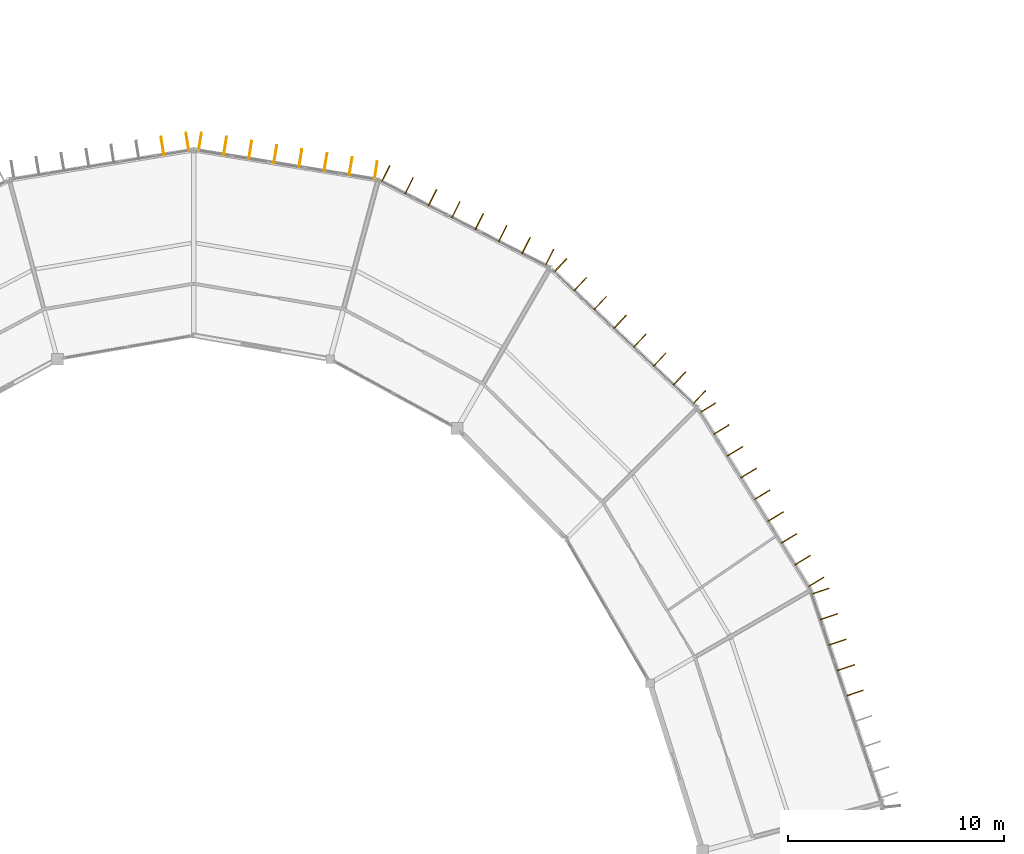
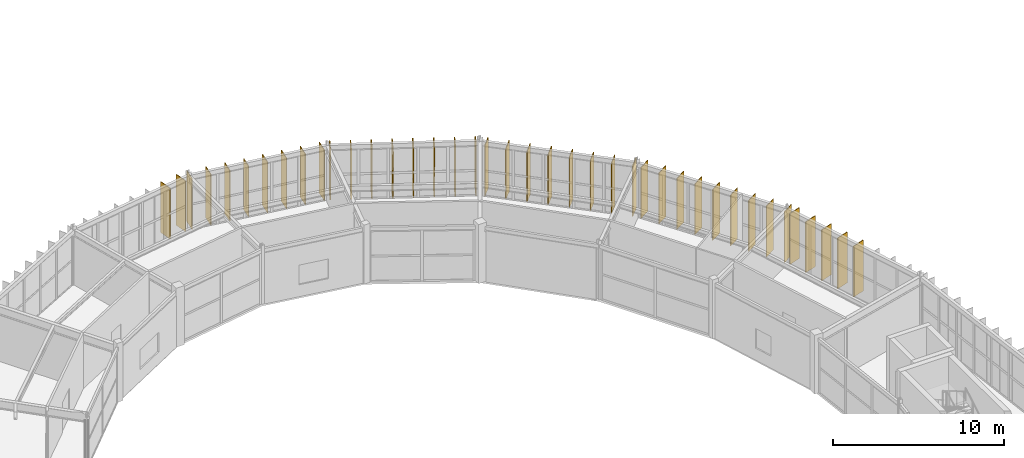
# One storey, part 155 of 157: 40 shading devices.
"""IFC4 building model written with IfcOpenShell, lengths in metres."""

import ifcopenshell
import ifcopenshell.guid

model = None  # the IFC model being written
_history = None  # IfcOwnerHistory: only IFC2X3 demands one
_inside = {}  # id of a spatial element -> (the spatial element, [elements in it])
_under = {}  # id of a project, library or spatial element -> (it, [spatial elements below it])
_declared = {}  # id of a project -> (the project, [libraries it declares])
_typed = {}  # id of a type object -> (the type object, [elements of that type])
_made_of = {}  # id of a material, layer set ... -> (it, [elements and type objects made of it])


def new_model(schema):
    """Start an empty IFC model of exactly this schema.

    Asked for "IFC4X3", IfcOpenShell would pick the latest addendum, in which some entities
    have other attributes; the version numbers below select the first issue.
    IFC2X3 requires an IfcOwnerHistory on every rooted entity: one is made here for all.
    """
    global model, _history
    if schema == "IFC4X3":
        model = ifcopenshell.file(schema_version=(4, 3, 0, 0))
    else:
        model = ifcopenshell.file(schema=schema)
    _inside.clear()
    _under.clear()
    _declared.clear()
    _typed.clear()
    _made_of.clear()
    _history = None
    if model.schema == "IFC2X3":
        org = make("IfcOrganization", Name="unknown")
        user = make(
            "IfcPersonAndOrganization",
            ThePerson=make("IfcPerson", FamilyName="unknown"),
            TheOrganization=org,
        )
        app = make(
            "IfcApplication",
            ApplicationDeveloper=org,
            Version="unknown",
            ApplicationFullName="unknown",
            ApplicationIdentifier="unknown",
        )
        _history = make(
            "IfcOwnerHistory",
            OwningUser=user,
            OwningApplication=app,
            ChangeAction="ADDED",
            CreationDate=0,
        )
    return model


def make(cls, **values):
    """One entity of the class cls with the attributes given. An attribute that is None is left unset."""
    return model.create_entity(
        cls, **{name: value for name, value in values.items() if value is not None}
    )


def rooted(cls, **values):
    """An entity with a GlobalId (a new one), such as an element, a storey or a relation."""
    return make(cls, GlobalId=ifcopenshell.guid.new(), OwnerHistory=_history, **values)


def si_unit(unit_type, name, prefix=None):
    """IfcSIUnit, for example si_unit("LENGTHUNIT", "METRE", prefix="MILLI")."""
    return make("IfcSIUnit", UnitType=unit_type, Prefix=prefix, Name=name)


def assignment(units):
    """IfcUnitAssignment: the units of a project."""
    return None if units is None else make("IfcUnitAssignment", Units=units)


def point(xyz):
    """IfcCartesianPoint."""
    return None if xyz is None else make("IfcCartesianPoint", Coordinates=xyz)


def direction(xyz):
    """IfcDirection."""
    return None if xyz is None else make("IfcDirection", DirectionRatios=xyz)


def frame(location, z_axis=None, x_axis=None):
    """IfcAxis2Placement3D, a coordinate frame: its origin and axes. An axis left out is left unset."""
    return make(
        "IfcAxis2Placement3D",
        Location=point(location),
        Axis=direction(z_axis),
        RefDirection=direction(x_axis),
    )


def frame_2d(location, x_axis=None):
    """IfcAxis2Placement2D, a coordinate frame in the plane: its origin and x axis."""
    return make(
        "IfcAxis2Placement2D", Location=point(location), RefDirection=direction(x_axis)
    )


def origin():
    """The frame at (0, 0, 0) with its axes left unset."""
    return frame((0.0, 0.0, 0.0))


def origin_2d():
    """The frame at (0, 0) in the plane with its x axis left unset."""
    return frame_2d((0.0, 0.0))


def place(relative_to, where):
    """IfcLocalPlacement: puts the frame where relative to a parent placement (None: the world)."""
    return make(
        "IfcLocalPlacement", PlacementRelTo=relative_to, RelativePlacement=where
    )


def context(
    kind, dimensions, precision=None, world=None, true_north=None, identifier=None
):
    """IfcGeometricRepresentationContext, for example the 3D "Model" context."""
    return make(
        "IfcGeometricRepresentationContext",
        ContextIdentifier=identifier,
        ContextType=kind,
        CoordinateSpaceDimension=dimensions,
        Precision=precision,
        WorldCoordinateSystem=world,
        TrueNorth=true_north,
    )


def subcontext(parent, identifier, kind, view, scale=None):
    """IfcGeometricRepresentationSubContext, for example "Body" below "Model"."""
    return make(
        "IfcGeometricRepresentationSubContext",
        ContextIdentifier=identifier,
        ContextType=kind,
        ParentContext=parent,
        TargetScale=scale,
        TargetView=view,
    )


def project(units=None, contexts=None):
    """IfcProject with its units and contexts."""
    return rooted(
        "IfcProject",
        Name="project",
        RepresentationContexts=contexts,
        UnitsInContext=assignment(units),
    )


def spatial(cls, under=None, at=None, **own):
    """A site, building, storey or space (cls), placed at a placement, below another one or the project."""
    s = rooted(cls, ObjectPlacement=at, **own)
    if under is not None:
        _under.setdefault(under.id(), (under, []))[1].append(s)
    return s


def profile(cls, at=None, kind="AREA", **sizes):
    """A parametric profile (cls). Its sizes go by their IFC names, for example OverallWidth=200.0."""
    return make(cls, ProfileType=kind, Position=at, **sizes)


def rectangle(**sizes):
    """IfcRectangleProfileDef."""
    return profile("IfcRectangleProfileDef", **sizes)


def extrude(swept, where, along, depth):
    """IfcExtrudedAreaSolid: the profile swept, set in the frame where, extruded along a direction by depth."""
    return make(
        "IfcExtrudedAreaSolid",
        SweptArea=swept,
        Position=where,
        ExtrudedDirection=direction(along),
        Depth=depth,
    )


def shape(context_of_items, identifier, shape_type, items):
    """IfcShapeRepresentation: the items that make up one representation, for example the "Body"."""
    return make(
        "IfcShapeRepresentation",
        ContextOfItems=context_of_items,
        RepresentationIdentifier=identifier,
        RepresentationType=shape_type,
        Items=items,
    )


def material(Name=None, Category=None):
    """IfcMaterial."""
    return make("IfcMaterial", Name=Name, Category=Category)


def layer(
    of_material, thickness, ventilated=None, Name=None, Category=None, Priority=None
):
    """IfcMaterialLayer: one layer of a wall or slab, of a material (None: an air gap)."""
    return make(
        "IfcMaterialLayer",
        Material=of_material,
        LayerThickness=thickness,
        IsVentilated=ventilated,
        Name=Name,
        Category=Category,
        Priority=Priority,
    )


def layer_set(layers, Name=None):
    """IfcMaterialLayerSet."""
    return make("IfcMaterialLayerSet", MaterialLayers=layers, LayerSetName=Name)


def made_of(thing, what):
    """Note that an element or type object is made of a material, layer set ...; save() writes the relation."""
    if what is not None:
        _made_of.setdefault(what.id(), (what, []))[1].append(thing)
    return thing


def type_object(cls, material=None, **own):
    """A type object (cls), such as IfcWallType, which elements share."""
    return made_of(rooted(cls, **own), material)


def element(
    cls,
    number,
    at=None,
    inside=None,
    cuts=None,
    type_object=None,
    material=None,
    context=None,
    identifier="Body",
    shape_type=None,
    held_by="IfcProductDefinitionShape",
    body=None,
    shapes=None,
    **own,
):
    """One element of the class cls, such as IfcWall. Its Tag is "e" and its number.

    at: its placement. inside: the storey or other place that contains it. cuts: it is an
    opening in that element (IfcRelVoidsElement). A single representation is given by context,
    identifier, shape_type and body (its items); several are given by shapes. held_by: the class
    of the entity that holds the representations. save() writes the other relations.
    """
    e = rooted(cls, Tag="e%d" % number, ObjectPlacement=at, **own)
    if body is not None:
        shapes = [shape(context, identifier, shape_type, body)]
    if shapes is not None:
        e.Representation = make(held_by, Representations=shapes)
    if inside is not None:
        _inside.setdefault(inside.id(), (inside, []))[1].append(e)
    if cuts is not None:
        rooted(
            "IfcRelVoidsElement", RelatingBuildingElement=cuts, RelatedOpeningElement=e
        )
    if type_object is not None:
        _typed.setdefault(type_object.id(), (type_object, []))[1].append(e)
    return made_of(e, material)


def aggregate(whole, parts):
    """IfcRelAggregates: a whole, such as a stair, and the parts it consists of."""
    return rooted("IfcRelAggregates", RelatingObject=whole, RelatedObjects=parts)


def save(model, path):
    """Write the relations noted so far, then the file.

    IfcRelAggregates (storeys below a building ...), IfcRelContainedInSpatialStructure (elements
    in a storey), IfcRelDefinesByType, IfcRelAssociatesMaterial and IfcRelDeclares: one each for
    every whole, place, type object, material and project.
    """
    for whole, parts in _under.values():
        aggregate(whole, parts)
    for where, things in _inside.values():
        rooted(
            "IfcRelContainedInSpatialStructure",
            RelatedElements=things,
            RelatingStructure=where,
        )
    for kind, things in _typed.values():
        rooted("IfcRelDefinesByType", RelatedObjects=things, RelatingType=kind)
    for what, things in _made_of.values():
        rooted("IfcRelAssociatesMaterial", RelatedObjects=things, RelatingMaterial=what)
    for by, libraries in _declared.values():
        rooted("IfcRelDeclares", RelatingContext=by, RelatedDefinitions=libraries)
    model.write(path)


model = new_model("IFC4")

# Units and contexts
model_context = context("Model", 3, precision=1e-05, world=origin(), true_north=direction((0.0, 1.0)))
body_context = subcontext(model_context, "Body", "Model", "MODEL_VIEW")
ifc_project = project(units=[si_unit("LENGTHUNIT", "METRE"), si_unit("AREAUNIT", "SQUARE_METRE"), si_unit("VOLUMEUNIT", "CUBIC_METRE"), si_unit("PLANEANGLEUNIT", "RADIAN"), si_unit("MASSUNIT", "GRAM", prefix="KILO")], contexts=[model_context])

# Site, building, storey
site_placement = place(None, origin())
site = spatial("IfcSite", under=ifc_project, at=site_placement, CompositionType="ELEMENT")
building_placement = place(site_placement, origin())
building = spatial("IfcBuilding", under=site, at=building_placement, Name="Karori Crest Natural Sciences Institute", CompositionType="ELEMENT")
storey_placement = place(building_placement, frame((0.0, 0.0, 13.300048828125)))
storey = spatial("IfcBuildingStorey", under=building, at=storey_placement, Name="L03", CompositionType="ELEMENT", Elevation=13.300048828125)

# Shading devices
ifc_material = material(Name="Anodised architectural aluminium 6063-T6", Category="aluminium")
ifc_layer = layer(ifc_material, 0.044921875, Name="Anodised architectural aluminium 6063-T6")
ifc_layer_set = layer_set([ifc_layer], Name="Anodised architectural aluminium 6063-T6")
shading_device_type = type_object("IfcShadingDeviceType", Name="SDT-FIN", PredefinedType="USERDEFINED", material=ifc_layer_set)
for number, where, z_axis, x_axis, name in (
    (1, (95.42578125, 70.25634765625, 0.0), (0.0, 0.0, 1.0), (0.948197867933, 0.317680347595, 0.0), "Vertical solar fin FN-0418"),
    (2, (95.8212890625, 69.075439453125, 0.0), (0.0, 0.0, 1.0), (0.948197867933, 0.317680347595, 0.0), "Vertical solar fin FN-0419"),
    (3, (96.217041015625, 67.894775390625, 0.0), (0.0, 0.0, 1.0), (0.948197867933, 0.317680347595, 0.0), "Vertical solar fin FN-0420"),
    (4, (96.61279296875, 66.7138671875, 0.0), (0.0, 0.0, 1.0), (0.948197867933, 0.317680347595, 0.0), "Vertical solar fin FN-0421"),
    (5, (97.00830078125, 65.533203125, 0.0), (0.0, 0.0, 1.0), (0.948197867933, 0.317680347595, 0.0), "Vertical solar fin FN-0422"),
    (6, (90.215087890625, 78.7529296875, 0.0), (0.0, 0.0, 1.0), (0.849661763889, 0.527328063907, 0.0), "Vertical solar fin FN-0427"),
    (7, (90.84130859375, 77.743896484375, 0.0), (0.0, 0.0, 1.0), (0.849661763889, 0.527328063907, 0.0), "Vertical solar fin FN-0428"),
    (8, (91.4677734375, 76.73486328125, 0.0), (0.0, 0.0, 1.0), (0.849661763889, 0.527328063907, 0.0), "Vertical solar fin FN-0429"),
    (9, (92.093994140625, 75.725830078125, 0.0), (0.0, 0.0, 1.0), (0.849661763889, 0.527328063907, 0.0), "Vertical solar fin FN-0430"),
    (10, (92.72021484375, 74.716796875, 0.0), (0.0, 0.0, 1.0), (0.849661763889, 0.527328063907, 0.0), "Vertical solar fin FN-0431"),
    (11, (93.346435546875, 73.70751953125, 0.0), (0.0, 0.0, 1.0), (0.849661763889, 0.527328063907, 0.0), "Vertical solar fin FN-0432"),
    (12, (93.97265625, 72.698486328125, 0.0), (0.0, 0.0, 1.0), (0.849661763889, 0.527328063907, 0.0), "Vertical solar fin FN-0433"),
    (13, (94.59912109375, 71.689453125, 0.0), (0.0, 0.0, 1.0), (0.849661763889, 0.527328063907, 0.0), "Vertical solar fin FN-0434"),
    (14, (95.22509765625, 70.680419921875, 0.0), (0.0, 0.0, 1.0), (0.849661763889, 0.527328063907, 0.0), "Vertical solar fin FN-0435"),
    (15, (83.38037109375, 85.34326171875, 0.0), (0.0, 0.0, 1.0), (0.68825202143, 0.725471677599, 0.0), "Vertical solar fin FN-0436"),
    (16, (84.2998046875, 84.470947265625, 0.0), (0.0, 0.0, 1.0), (0.68825202143, 0.725471677599, 0.0), "Vertical solar fin FN-0437"),
    (17, (85.219482421875, 83.598388671875, 0.0), (0.0, 0.0, 1.0), (0.68825202143, 0.725471677599, 0.0), "Vertical solar fin FN-0438"),
    (18, (86.13916015625, 82.72607421875, 0.0), (0.0, 0.0, 1.0), (0.68825202143, 0.725471677599, 0.0), "Vertical solar fin FN-0439"),
    (19, (87.058837890625, 81.853515625, 0.0), (0.0, 0.0, 1.0), (0.68825202143, 0.725471677599, 0.0), "Vertical solar fin FN-0440"),
    (20, (87.978515625, 80.981201171875, 0.0), (0.0, 0.0, 1.0), (0.68825202143, 0.725471677599, 0.0), "Vertical solar fin FN-0441"),
    (21, (88.89794921875, 80.108642578125, 0.0), (0.0, 0.0, 1.0), (0.68825202143, 0.725471677599, 0.0), "Vertical solar fin FN-0442"),
    (22, (89.817626953125, 79.236328125, 0.0), (0.0, 0.0, 1.0), (0.68825202143, 0.725471677599, 0.0), "Vertical solar fin FN-0443"),
    (23, (75.2919921875, 89.590576171875, 0.0), (0.0, 0.0, 1.0), (0.455829213737, 0.890067260326, 0.0), "Vertical solar fin FN-0444"),
    (24, (76.375, 89.035888671875, 0.0), (0.0, 0.0, 1.0), (0.455829213737, 0.890067260326, 0.0), "Vertical solar fin FN-0445"),
    (25, (77.4580078125, 88.4814453125, 0.0), (0.0, 0.0, 1.0), (0.455829213737, 0.890067260326, 0.0), "Vertical solar fin FN-0446"),
    (26, (78.541015625, 87.9267578125, 0.0), (0.0, 0.0, 1.0), (0.455829213737, 0.890067260326, 0.0), "Vertical solar fin FN-0447"),
    (27, (79.623779296875, 87.372314453125, 0.0), (0.0, 0.0, 1.0), (0.455829213737, 0.890067260326, 0.0), "Vertical solar fin FN-0448"),
    (28, (80.706787109375, 86.817626953125, 0.0), (0.0, 0.0, 1.0), (0.455829213737, 0.890067260326, 0.0), "Vertical solar fin FN-0449"),
    (29, (81.789794921875, 86.262939453125, 0.0), (0.0, 0.0, 1.0), (0.455829213737, 0.890067260326, 0.0), "Vertical solar fin FN-0450"),
    (30, (82.872802734375, 85.70849609375, 0.0), (0.0, 0.0, 1.0), (0.455829213737, 0.890067260326, 0.0), "Vertical solar fin FN-0451"),
    (31, (66.690673828125, 91.068115234375, 0.0), (0.0, 0.0, 1.0), (0.160654710652, 0.987010670634, 0.0), "Vertical solar fin FN-0452"),
    (32, (67.853759765625, 90.87890625, 0.0), (0.0, 0.0, 1.0), (0.160654710652, 0.987010670634, 0.0), "Vertical solar fin FN-0453"),
    (33, (69.01708984375, 90.689453125, 0.0), (0.0, 0.0, 1.0), (0.160654710652, 0.987010670634, 0.0), "Vertical solar fin FN-0454"),
    (34, (70.180419921875, 90.5, 0.0), (0.0, 0.0, 1.0), (0.160654710652, 0.987010670634, 0.0), "Vertical solar fin FN-0455"),
    (35, (71.343505859375, 90.310791015625, 0.0), (0.0, 0.0, 1.0), (0.160654710652, 0.987010670634, 0.0), "Vertical solar fin FN-0456"),
    (36, (72.506591796875, 90.121337890625, 0.0), (0.0, 0.0, 1.0), (0.160654710652, 0.987010670634, 0.0), "Vertical solar fin FN-0457"),
    (37, (73.669921875, 89.93212890625, 0.0), (0.0, 0.0, 1.0), (0.160654710652, 0.987010670634, 0.0), "Vertical solar fin FN-0458"),
    (38, (74.833251953125, 89.74267578125, 0.0), (0.0, 0.0, 1.0), (0.160654710652, 0.987010670634, 0.0), "Vertical solar fin FN-0459"),
    (39, (64.953369140625, 90.8798828125, 0.0), (0.0, 0.0, 1.0), (-0.160649542674, 0.987011511807, 0.0), "Vertical solar fin FN-0466"),
    (40, (66.109375, 91.068115234375, 0.0), (0.0, 0.0, 1.0), (-0.160649542674, 0.987011511807, 0.0), "Vertical solar fin FN-0467"),
):
    element("IfcShadingDevice", number, at=place(storey_placement, frame(where, z_axis=z_axis, x_axis=x_axis)), inside=storey, type_object=shading_device_type, Name=name, ObjectType="SOLAR_FIN", PredefinedType="USERDEFINED", context=body_context, shape_type="SweptSolid", body=[
        extrude(rectangle(XDim=0.85009765625, YDim=0.044921875, at=origin_2d()), origin(), (0.0, 0.0, 1.0), 3.625),
    ])

save(model, "model.ifc")
